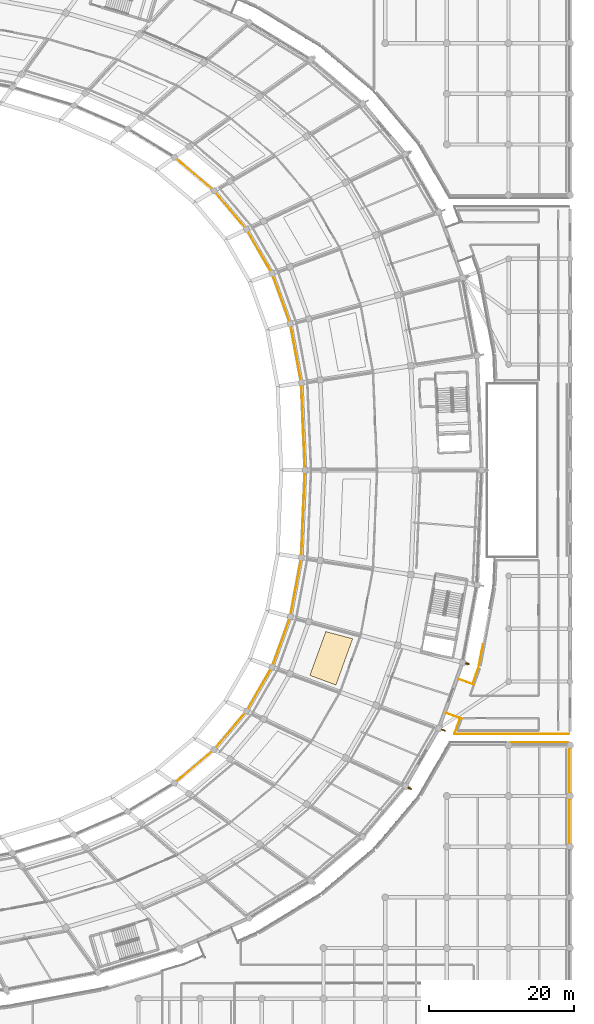
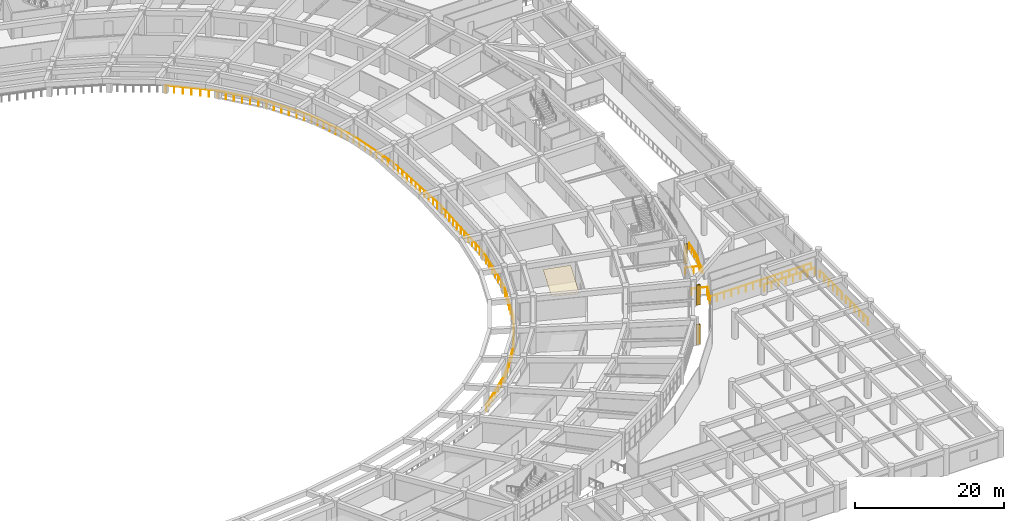
# One storey, part 131 of 145: 9 railings, 3 shading devices, 1 covering.
"""IFC4 building model written with IfcOpenShell, lengths in metres."""

from ifc_helpers import new_model, si_unit, direction, frame, origin, origin_2d, place, context, subcontext, project, spatial, polyline, rectangle, circle, outline, extrude, material, layer, layer_set, type_object, element, save


model = new_model("IFC4")

# Units and contexts
model_context = context("Model", 3, precision=1e-05, world=origin(), true_north=direction((0.0, 1.0)))
body_context = subcontext(model_context, "Body", "Model", "MODEL_VIEW")
ifc_project = project(units=[si_unit("LENGTHUNIT", "METRE"), si_unit("AREAUNIT", "SQUARE_METRE"), si_unit("VOLUMEUNIT", "CUBIC_METRE"), si_unit("PLANEANGLEUNIT", "RADIAN"), si_unit("MASSUNIT", "GRAM", prefix="KILO")], contexts=[model_context])

# Site, building, storey
site_placement = place(None, origin())
site = spatial("IfcSite", under=ifc_project, at=site_placement, CompositionType="ELEMENT")
building_placement = place(site_placement, origin())
building = spatial("IfcBuilding", under=site, at=building_placement, Name="Mphavela Belvedere Stadium", CompositionType="ELEMENT")
storey_placement = place(building_placement, frame((0.0, 0.0, 10.199951171875)))
storey = spatial("IfcBuildingStorey", under=building, at=storey_placement, Name="L02", CompositionType="ELEMENT", Elevation=10.199951171875)

# Covering
ifc_material_1 = material(Name="Perforated acoustic mineral ceiling tile")
ifc_layer = layer(ifc_material_1, 0.0400390625)
ifc_layer_set = layer_set([ifc_layer], Name="Perforated acoustic mineral ceiling tile")
covering_type = type_object("IfcCoveringType", Name="COV-CEILING-ACOUSTIC", PredefinedType="CEILING", material=ifc_layer_set)
covering_placement = place(storey_placement, frame((0.0, 0.0, 3.199951171875)))
element("IfcCovering", 1, at=covering_placement, inside=storey, type_object=covering_type, Name="Concourse acoustic ceiling L02-46", PredefinedType="CEILING", context=body_context, shape_type="SweptSolid", body=[
    extrude(outline(polyline([(194.041015625, 58.655029296875), (196.237060546875, 64.708251953125), (199.956298828125, 63.721923828125), (197.637451171875, 57.330078125), (194.041015625, 58.655029296875)])), origin(), (0.0, 0.0, 1.0), 0.0400390625),
])

# Railings
ifc_material_2 = material(Name="Bronze and laminated glass stadium balustrade", Category="glass")
railing_type = type_object("IfcRailingType", Name="RAL-BALUSTRADE-1120", PredefinedType="BALUSTRADE", material=ifc_material_2)
railing_1_placement = place(storey_placement, frame((212.845703125, 53.459228515625, 0.0)))
element("IfcRailing", 2, at=railing_1_placement, inside=storey, type_object=railing_type, Name="Colonnade link bridge balustrade L02-46A", PredefinedType="BALUSTRADE", context=body_context, shape_type="SweptSolid", body=[
    extrude(circle(Radius=0.02392578125, at=origin_2d()), frame((0.0, 0.0, 1.09619140625), z_axis=(0.940044916205, -0.341050664151, 0.0), x_axis=(0.341050664151, 0.940044916205, 0.0)), (0.0, 0.0, 1.0), 2.35009765625),
    extrude(circle(Radius=0.02099609375, at=origin_2d()), origin(), (0.0, 0.0, 1.0), 1.072021484375),
    extrude(circle(Radius=0.02099609375, at=origin_2d()), frame((1.1044921875, -0.40087890625, 0.0)), (0.0, 0.0, 1.0), 1.072021484375),
    extrude(circle(Radius=0.02099609375, at=origin_2d()), frame((2.209228515625, -0.801513671875, 0.0)), (0.0, 0.0, 1.0), 1.072021484375),
])
railing_2_placement = place(storey_placement, frame((214.55078125, 58.159423828125, 0.0)))
element("IfcRailing", 3, at=railing_2_placement, inside=storey, type_object=railing_type, Name="Colonnade link bridge balustrade L02-46B", PredefinedType="BALUSTRADE", context=body_context, shape_type="SweptSolid", body=[
    extrude(circle(Radius=0.02392578125, at=origin_2d()), frame((0.0, 0.0, 1.09619140625), z_axis=(0.940078218368, -0.340958858734, 0.0), x_axis=(0.340958858734, 0.940078218368, 0.0)), (0.0, 0.0, 1.0), 2.35009765625),
    extrude(circle(Radius=0.02099609375, at=origin_2d()), origin(), (0.0, 0.0, 1.0), 1.072021484375),
    extrude(circle(Radius=0.02099609375, at=origin_2d()), frame((1.1044921875, -0.400634765625, 0.0)), (0.0, 0.0, 1.0), 1.072021484375),
    extrude(circle(Radius=0.02099609375, at=origin_2d()), frame((2.209228515625, -0.80126953125, 0.0)), (0.0, 0.0, 1.0), 1.072021484375),
])
railing_3_placement = place(storey_placement, frame((193.3759765625, 87.0, 0.0)))
element("IfcRailing", 4, at=railing_3_placement, inside=storey, type_object=railing_type, Name="Bowl safety balustrade l02_bowl S1", PredefinedType="BALUSTRADE", context=body_context, shape_type="SweptSolid", body=[
    extrude(circle(Radius=0.02392578125, at=origin_2d()), frame((0.0, 0.0, 1.09619140625), z_axis=(-0.041906072647, 0.999121554705, 0.0), x_axis=(-0.999121554705, -0.041906072647, 0.0)), (0.0, 0.0, 1.0), 12.088623046875),
    extrude(circle(Radius=0.02392578125, at=origin_2d()), frame((-0.506591796875, 12.078125, 1.09619140625), z_axis=(-0.182638448973, 0.983180144712, 0.0), x_axis=(-0.983180144712, -0.182638448973, 0.0)), (0.0, 0.0, 1.0), 8.30908203125),
    extrude(circle(Radius=0.02392578125, at=origin_2d()), frame((-2.024169921875, 20.24755859375, 1.09619140625), z_axis=(-0.341037858277, 0.940049562109, 0.0), x_axis=(-0.940049562109, -0.341037858277, 0.0)), (0.0, 0.0, 1.0), 7.39501953125),
    extrude(circle(Radius=0.02392578125, at=origin_2d()), frame((-4.546142578125, 27.19921875, 1.09619140625), z_axis=(-0.500559513075, 0.86570212768, 0.0), x_axis=(-0.86570212768, -0.500559513075, 0.0)), (0.0, 0.0, 1.0), 7.02587890625),
    extrude(circle(Radius=0.02392578125, at=origin_2d()), frame((-8.06298828125, 33.281494140625, 1.09619140625), z_axis=(-0.645159025586, 0.764048317651, 0.0), x_axis=(-0.764048317651, -0.645159025586, 0.0)), (0.0, 0.0, 1.0), 6.975830078125),
    extrude(circle(Radius=0.02392578125, at=origin_2d()), frame((-12.5634765625, 38.611328125, 1.09619140625), z_axis=(-0.76425683958, 0.644911996442, 0.0), x_axis=(-0.644911996442, -0.76425683958, 0.0)), (0.0, 0.0, 1.0), 7.1640625),
    extrude(circle(Radius=0.02099609375, at=origin_2d()), origin(), (0.0, 0.0, 1.0), 1.072021484375),
    extrude(circle(Radius=0.02099609375, at=origin_2d()), frame((-0.046142578125, 1.097900390625, 0.0)), (0.0, 0.0, 1.0), 1.072021484375),
    extrude(circle(Radius=0.02099609375, at=origin_2d()), frame((-0.092041015625, 2.196044921875, 0.0)), (0.0, 0.0, 1.0), 1.072021484375),
    extrude(circle(Radius=0.02099609375, at=origin_2d()), frame((-0.13818359375, 3.2939453125, 0.0)), (0.0, 0.0, 1.0), 1.072021484375),
    extrude(circle(Radius=0.02099609375, at=origin_2d()), frame((-0.184326171875, 4.39208984375, 0.0)), (0.0, 0.0, 1.0), 1.072021484375),
    extrude(circle(Radius=0.02099609375, at=origin_2d()), frame((-0.230224609375, 5.489990234375, 0.0)), (0.0, 0.0, 1.0), 1.072021484375),
    extrude(circle(Radius=0.02099609375, at=origin_2d()), frame((-0.2763671875, 6.588134765625, 0.0)), (0.0, 0.0, 1.0), 1.072021484375),
    extrude(circle(Radius=0.02099609375, at=origin_2d()), frame((-0.322265625, 7.68603515625, 0.0)), (0.0, 0.0, 1.0), 1.072021484375),
    extrude(circle(Radius=0.02099609375, at=origin_2d()), frame((-0.368408203125, 8.7841796875, 0.0)), (0.0, 0.0, 1.0), 1.072021484375),
    extrude(circle(Radius=0.02099609375, at=origin_2d()), frame((-0.41455078125, 9.882080078125, 0.0)), (0.0, 0.0, 1.0), 1.072021484375),
    extrude(circle(Radius=0.02099609375, at=origin_2d()), frame((-0.46044921875, 10.980224609375, 0.0)), (0.0, 0.0, 1.0), 1.072021484375),
    extrude(circle(Radius=0.02099609375, at=origin_2d()), frame((-0.506591796875, 12.078125, 0.0)), (0.0, 0.0, 1.0), 1.072021484375),
    extrude(circle(Radius=0.02099609375, at=origin_2d()), frame((-0.723388671875, 13.2451171875, 0.0)), (0.0, 0.0, 1.0), 1.072021484375),
    extrude(circle(Radius=0.02099609375, at=origin_2d()), frame((-0.940185546875, 14.412353515625, 0.0)), (0.0, 0.0, 1.0), 1.072021484375),
    extrude(circle(Radius=0.02099609375, at=origin_2d()), frame((-1.156982421875, 15.579345703125, 0.0)), (0.0, 0.0, 1.0), 1.072021484375),
    extrude(circle(Radius=0.02099609375, at=origin_2d()), frame((-1.373779296875, 16.746337890625, 0.0)), (0.0, 0.0, 1.0), 1.072021484375),
    extrude(circle(Radius=0.02099609375, at=origin_2d()), frame((-1.590576171875, 17.913330078125, 0.0)), (0.0, 0.0, 1.0), 1.072021484375),
    extrude(circle(Radius=0.02099609375, at=origin_2d()), frame((-1.807373046875, 19.08056640625, 0.0)), (0.0, 0.0, 1.0), 1.072021484375),
    extrude(circle(Radius=0.02099609375, at=origin_2d()), frame((-2.024169921875, 20.24755859375, 0.0)), (0.0, 0.0, 1.0), 1.072021484375),
    extrude(circle(Radius=0.02099609375, at=origin_2d()), frame((-2.384521484375, 21.24072265625, 0.0)), (0.0, 0.0, 1.0), 1.072021484375),
    extrude(circle(Radius=0.02099609375, at=origin_2d()), frame((-2.74462890625, 22.233642578125, 0.0)), (0.0, 0.0, 1.0), 1.072021484375),
    extrude(circle(Radius=0.02099609375, at=origin_2d()), frame((-3.10498046875, 23.226806640625, 0.0)), (0.0, 0.0, 1.0), 1.072021484375),
    extrude(circle(Radius=0.02099609375, at=origin_2d()), frame((-3.46533203125, 24.219970703125, 0.0)), (0.0, 0.0, 1.0), 1.072021484375),
    extrude(circle(Radius=0.02099609375, at=origin_2d()), frame((-3.82568359375, 25.213134765625, 0.0)), (0.0, 0.0, 1.0), 1.072021484375),
    extrude(circle(Radius=0.02099609375, at=origin_2d()), frame((-4.185791015625, 26.2060546875, 0.0)), (0.0, 0.0, 1.0), 1.072021484375),
    extrude(circle(Radius=0.02099609375, at=origin_2d()), frame((-4.546142578125, 27.19921875, 0.0)), (0.0, 0.0, 1.0), 1.072021484375),
    extrude(circle(Radius=0.02099609375, at=origin_2d()), frame((-5.13232421875, 28.212890625, 0.0)), (0.0, 0.0, 1.0), 1.072021484375),
    extrude(circle(Radius=0.02099609375, at=origin_2d()), frame((-5.718505859375, 29.2265625, 0.0)), (0.0, 0.0, 1.0), 1.072021484375),
    extrude(circle(Radius=0.02099609375, at=origin_2d()), frame((-6.3046875, 30.240234375, 0.0)), (0.0, 0.0, 1.0), 1.072021484375),
    extrude(circle(Radius=0.02099609375, at=origin_2d()), frame((-6.890625, 31.254150390625, 0.0)), (0.0, 0.0, 1.0), 1.072021484375),
    extrude(circle(Radius=0.02099609375, at=origin_2d()), frame((-7.476806640625, 32.267822265625, 0.0)), (0.0, 0.0, 1.0), 1.072021484375),
    extrude(circle(Radius=0.02099609375, at=origin_2d()), frame((-8.06298828125, 33.281494140625, 0.0)), (0.0, 0.0, 1.0), 1.072021484375),
    extrude(circle(Radius=0.02099609375, at=origin_2d()), frame((-8.81298828125, 34.169921875, 0.0)), (0.0, 0.0, 1.0), 1.072021484375),
    extrude(circle(Radius=0.02099609375, at=origin_2d()), frame((-9.563232421875, 35.05810546875, 0.0)), (0.0, 0.0, 1.0), 1.072021484375),
    extrude(circle(Radius=0.02099609375, at=origin_2d()), frame((-10.313232421875, 35.9462890625, 0.0)), (0.0, 0.0, 1.0), 1.072021484375),
    extrude(circle(Radius=0.02099609375, at=origin_2d()), frame((-11.063232421875, 36.834716796875, 0.0)), (0.0, 0.0, 1.0), 1.072021484375),
    extrude(circle(Radius=0.02099609375, at=origin_2d()), frame((-11.8134765625, 37.72314453125, 0.0)), (0.0, 0.0, 1.0), 1.072021484375),
    extrude(circle(Radius=0.02099609375, at=origin_2d()), frame((-12.5634765625, 38.611328125, 0.0)), (0.0, 0.0, 1.0), 1.072021484375),
    extrude(circle(Radius=0.02099609375, at=origin_2d()), frame((-13.47607421875, 39.38134765625, 0.0)), (0.0, 0.0, 1.0), 1.072021484375),
    extrude(circle(Radius=0.02099609375, at=origin_2d()), frame((-14.388427734375, 40.1513671875, 0.0)), (0.0, 0.0, 1.0), 1.072021484375),
    extrude(circle(Radius=0.02099609375, at=origin_2d()), frame((-15.301025390625, 40.92138671875, 0.0)), (0.0, 0.0, 1.0), 1.072021484375),
    extrude(circle(Radius=0.02099609375, at=origin_2d()), frame((-16.213623046875, 41.69140625, 0.0)), (0.0, 0.0, 1.0), 1.072021484375),
    extrude(circle(Radius=0.02099609375, at=origin_2d()), frame((-17.1259765625, 42.46142578125, 0.0)), (0.0, 0.0, 1.0), 1.072021484375),
    extrude(circle(Radius=0.02099609375, at=origin_2d()), frame((-18.03857421875, 43.2314453125, 0.0)), (0.0, 0.0, 1.0), 1.072021484375),
])
railing_4_placement = place(storey_placement, frame((175.33740234375, 43.7685546875, 0.0)))
element("IfcRailing", 5, at=railing_4_placement, inside=storey, type_object=railing_type, Name="Bowl safety balustrade l02_bowl S8", PredefinedType="BALUSTRADE", context=body_context, shape_type="SweptSolid", body=[
    extrude(circle(Radius=0.02392578125, at=origin_2d()), frame((0.0, 0.0, 1.09619140625), z_axis=(0.76425683958, 0.644911996442, 0.0), x_axis=(-0.644911996442, 0.76425683958, 0.0)), (0.0, 0.0, 1.0), 7.1640625),
    extrude(circle(Radius=0.02392578125, at=origin_2d()), frame((5.47509765625, 4.6201171875, 1.09619140625), z_axis=(0.645159025586, 0.764048317651, 0.0), x_axis=(-0.764048317651, 0.645159025586, 0.0)), (0.0, 0.0, 1.0), 6.975830078125),
    extrude(circle(Radius=0.02392578125, at=origin_2d()), frame((9.9755859375, 9.949951171875, 1.09619140625), z_axis=(0.500559513075, 0.86570212768, 0.0), x_axis=(-0.86570212768, 0.500559513075, 0.0)), (0.0, 0.0, 1.0), 7.02587890625),
    extrude(circle(Radius=0.02392578125, at=origin_2d()), frame((13.492431640625, 16.0322265625, 1.09619140625), z_axis=(0.341037858277, 0.940049562109, 0.0), x_axis=(-0.940049562109, 0.341037858277, 0.0)), (0.0, 0.0, 1.0), 7.39501953125),
    extrude(circle(Radius=0.02392578125, at=origin_2d()), frame((16.014404296875, 22.98388671875, 1.09619140625), z_axis=(0.182638448973, 0.983180144712, 0.0), x_axis=(-0.983180144712, 0.182638448973, 0.0)), (0.0, 0.0, 1.0), 8.30908203125),
    extrude(circle(Radius=0.02392578125, at=origin_2d()), frame((17.531982421875, 31.1533203125, 1.09619140625), z_axis=(0.041906072647, 0.999121554705, 0.0), x_axis=(-0.999121554705, 0.041906072647, 0.0)), (0.0, 0.0, 1.0), 12.088623046875),
    extrude(circle(Radius=0.02099609375, at=origin_2d()), origin(), (0.0, 0.0, 1.0), 1.072021484375),
    extrude(circle(Radius=0.02099609375, at=origin_2d()), frame((0.91259765625, 0.77001953125, 0.0)), (0.0, 0.0, 1.0), 1.072021484375),
    extrude(circle(Radius=0.02099609375, at=origin_2d()), frame((1.824951171875, 1.5400390625, 0.0)), (0.0, 0.0, 1.0), 1.072021484375),
    extrude(circle(Radius=0.02099609375, at=origin_2d()), frame((2.737548828125, 2.31005859375, 0.0)), (0.0, 0.0, 1.0), 1.072021484375),
    extrude(circle(Radius=0.02099609375, at=origin_2d()), frame((3.650146484375, 3.080078125, 0.0)), (0.0, 0.0, 1.0), 1.072021484375),
    extrude(circle(Radius=0.02099609375, at=origin_2d()), frame((4.5625, 3.85009765625, 0.0)), (0.0, 0.0, 1.0), 1.072021484375),
    extrude(circle(Radius=0.02099609375, at=origin_2d()), frame((5.47509765625, 4.6201171875, 0.0)), (0.0, 0.0, 1.0), 1.072021484375),
    extrude(circle(Radius=0.02099609375, at=origin_2d()), frame((6.22509765625, 5.50830078125, 0.0)), (0.0, 0.0, 1.0), 1.072021484375),
    extrude(circle(Radius=0.02099609375, at=origin_2d()), frame((6.975341796875, 6.396728515625, 0.0)), (0.0, 0.0, 1.0), 1.072021484375),
    extrude(circle(Radius=0.02099609375, at=origin_2d()), frame((7.725341796875, 7.28515625, 0.0)), (0.0, 0.0, 1.0), 1.072021484375),
    extrude(circle(Radius=0.02099609375, at=origin_2d()), frame((8.475341796875, 8.17333984375, 0.0)), (0.0, 0.0, 1.0), 1.072021484375),
    extrude(circle(Radius=0.02099609375, at=origin_2d()), frame((9.2255859375, 9.0615234375, 0.0)), (0.0, 0.0, 1.0), 1.072021484375),
    extrude(circle(Radius=0.02099609375, at=origin_2d()), frame((9.9755859375, 9.949951171875, 0.0)), (0.0, 0.0, 1.0), 1.072021484375),
    extrude(circle(Radius=0.02099609375, at=origin_2d()), frame((10.561767578125, 10.963623046875, 0.0)), (0.0, 0.0, 1.0), 1.072021484375),
    extrude(circle(Radius=0.02099609375, at=origin_2d()), frame((11.14794921875, 11.977294921875, 0.0)), (0.0, 0.0, 1.0), 1.072021484375),
    extrude(circle(Radius=0.02099609375, at=origin_2d()), frame((11.73388671875, 12.9912109375, 0.0)), (0.0, 0.0, 1.0), 1.072021484375),
    extrude(circle(Radius=0.02099609375, at=origin_2d()), frame((12.320068359375, 14.0048828125, 0.0)), (0.0, 0.0, 1.0), 1.072021484375),
    extrude(circle(Radius=0.02099609375, at=origin_2d()), frame((12.90625, 15.0185546875, 0.0)), (0.0, 0.0, 1.0), 1.072021484375),
    extrude(circle(Radius=0.02099609375, at=origin_2d()), frame((13.492431640625, 16.0322265625, 0.0)), (0.0, 0.0, 1.0), 1.072021484375),
    extrude(circle(Radius=0.02099609375, at=origin_2d()), frame((13.852783203125, 17.025390625, 0.0)), (0.0, 0.0, 1.0), 1.072021484375),
    extrude(circle(Radius=0.02099609375, at=origin_2d()), frame((14.212890625, 18.018310546875, 0.0)), (0.0, 0.0, 1.0), 1.072021484375),
    extrude(circle(Radius=0.02099609375, at=origin_2d()), frame((14.5732421875, 19.011474609375, 0.0)), (0.0, 0.0, 1.0), 1.072021484375),
    extrude(circle(Radius=0.02099609375, at=origin_2d()), frame((14.93359375, 20.004638671875, 0.0)), (0.0, 0.0, 1.0), 1.072021484375),
    extrude(circle(Radius=0.02099609375, at=origin_2d()), frame((15.2939453125, 20.997802734375, 0.0)), (0.0, 0.0, 1.0), 1.072021484375),
    extrude(circle(Radius=0.02099609375, at=origin_2d()), frame((15.654052734375, 21.99072265625, 0.0)), (0.0, 0.0, 1.0), 1.072021484375),
    extrude(circle(Radius=0.02099609375, at=origin_2d()), frame((16.014404296875, 22.98388671875, 0.0)), (0.0, 0.0, 1.0), 1.072021484375),
    extrude(circle(Radius=0.02099609375, at=origin_2d()), frame((16.231201171875, 24.15087890625, 0.0)), (0.0, 0.0, 1.0), 1.072021484375),
    extrude(circle(Radius=0.02099609375, at=origin_2d()), frame((16.447998046875, 25.318115234375, 0.0)), (0.0, 0.0, 1.0), 1.072021484375),
    extrude(circle(Radius=0.02099609375, at=origin_2d()), frame((16.664794921875, 26.485107421875, 0.0)), (0.0, 0.0, 1.0), 1.072021484375),
    extrude(circle(Radius=0.02099609375, at=origin_2d()), frame((16.881591796875, 27.652099609375, 0.0)), (0.0, 0.0, 1.0), 1.072021484375),
    extrude(circle(Radius=0.02099609375, at=origin_2d()), frame((17.098388671875, 28.819091796875, 0.0)), (0.0, 0.0, 1.0), 1.072021484375),
    extrude(circle(Radius=0.02099609375, at=origin_2d()), frame((17.315185546875, 29.986328125, 0.0)), (0.0, 0.0, 1.0), 1.072021484375),
    extrude(circle(Radius=0.02099609375, at=origin_2d()), frame((17.531982421875, 31.1533203125, 0.0)), (0.0, 0.0, 1.0), 1.072021484375),
    extrude(circle(Radius=0.02099609375, at=origin_2d()), frame((17.578125, 32.251220703125, 0.0)), (0.0, 0.0, 1.0), 1.072021484375),
    extrude(circle(Radius=0.02099609375, at=origin_2d()), frame((17.6240234375, 33.349365234375, 0.0)), (0.0, 0.0, 1.0), 1.072021484375),
    extrude(circle(Radius=0.02099609375, at=origin_2d()), frame((17.670166015625, 34.447265625, 0.0)), (0.0, 0.0, 1.0), 1.072021484375),
    extrude(circle(Radius=0.02099609375, at=origin_2d()), frame((17.71630859375, 35.54541015625, 0.0)), (0.0, 0.0, 1.0), 1.072021484375),
    extrude(circle(Radius=0.02099609375, at=origin_2d()), frame((17.76220703125, 36.643310546875, 0.0)), (0.0, 0.0, 1.0), 1.072021484375),
    extrude(circle(Radius=0.02099609375, at=origin_2d()), frame((17.808349609375, 37.741455078125, 0.0)), (0.0, 0.0, 1.0), 1.072021484375),
    extrude(circle(Radius=0.02099609375, at=origin_2d()), frame((17.854248046875, 38.83935546875, 0.0)), (0.0, 0.0, 1.0), 1.072021484375),
    extrude(circle(Radius=0.02099609375, at=origin_2d()), frame((17.900390625, 39.9375, 0.0)), (0.0, 0.0, 1.0), 1.072021484375),
    extrude(circle(Radius=0.02099609375, at=origin_2d()), frame((17.946533203125, 41.035400390625, 0.0)), (0.0, 0.0, 1.0), 1.072021484375),
    extrude(circle(Radius=0.02099609375, at=origin_2d()), frame((17.992431640625, 42.133544921875, 0.0)), (0.0, 0.0, 1.0), 1.072021484375),
    extrude(circle(Radius=0.02099609375, at=origin_2d()), frame((18.03857421875, 43.2314453125, 0.0)), (0.0, 0.0, 1.0), 1.072021484375),
])
railing_5_placement = place(storey_placement, frame((221.835693359375, 49.419921875, 0.0)))
element("IfcRailing", 6, at=railing_5_placement, inside=storey, type_object=railing_type, Name="Peristyle wing gallery edge balustrade L02-08", PredefinedType="BALUSTRADE", context=body_context, shape_type="SweptSolid", body=[
    extrude(circle(Radius=0.02392578125, at=origin_2d()), frame((0.0, 0.0, 1.09619140625), z_axis=(1.0, 0.0, 0.0), x_axis=(0.0, 1.0, 0.0)), (0.0, 0.0, 1.0), 7.809814453125),
    extrude(circle(Radius=0.02099609375, at=origin_2d()), origin(), (0.0, 0.0, 1.0), 1.072021484375),
    extrude(circle(Radius=0.02099609375, at=origin_2d()), frame((1.11572265625, 0.0, 0.0)), (0.0, 0.0, 1.0), 1.072021484375),
    extrude(circle(Radius=0.02099609375, at=origin_2d()), frame((2.2314453125, 0.0, 0.0)), (0.0, 0.0, 1.0), 1.072021484375),
    extrude(circle(Radius=0.02099609375, at=origin_2d()), frame((3.34716796875, 0.0, 0.0)), (0.0, 0.0, 1.0), 1.072021484375),
    extrude(circle(Radius=0.02099609375, at=origin_2d()), frame((4.462646484375, 0.0, 0.0)), (0.0, 0.0, 1.0), 1.072021484375),
    extrude(circle(Radius=0.02099609375, at=origin_2d()), frame((5.578369140625, 0.0, 0.0)), (0.0, 0.0, 1.0), 1.072021484375),
    extrude(circle(Radius=0.02099609375, at=origin_2d()), frame((6.694091796875, 0.0, 0.0)), (0.0, 0.0, 1.0), 1.072021484375),
    extrude(circle(Radius=0.02099609375, at=origin_2d()), frame((7.809814453125, 0.0, 0.0)), (0.0, 0.0, 1.0), 1.072021484375),
])
for number, where, name in (
    (7, (229.919921875, 48.45654296875, 0.0), "Peristyle wing gallery edge balustrade L02-09"),
    (8, (229.919921875, 41.45654296875, 0.0), "Peristyle wing gallery edge balustrade L02-10"),
):
    element("IfcRailing", number, at=place(storey_placement, frame(where)), inside=storey, type_object=railing_type, Name=name, PredefinedType="BALUSTRADE", context=body_context, shape_type="SweptSolid", body=[
        extrude(circle(Radius=0.02392578125, at=origin_2d()), frame((0.0, 0.0, 1.09619140625), z_axis=(0.0, -1.0, 0.0), x_axis=(1.0, 0.0, 0.0)), (0.0, 0.0, 1.0), 5.9130859375),
        extrude(circle(Radius=0.02099609375, at=origin_2d()), origin(), (0.0, 0.0, 1.0), 1.072021484375),
        extrude(circle(Radius=0.02099609375, at=origin_2d()), frame((0.0, -1.1826171875, 0.0)), (0.0, 0.0, 1.0), 1.072021484375),
        extrude(circle(Radius=0.02099609375, at=origin_2d()), frame((0.0, -2.365234375, 0.0)), (0.0, 0.0, 1.0), 1.072021484375),
        extrude(circle(Radius=0.02099609375, at=origin_2d()), frame((0.0, -3.5478515625, 0.0)), (0.0, 0.0, 1.0), 1.072021484375),
        extrude(circle(Radius=0.02099609375, at=origin_2d()), frame((0.0, -4.73046875, 0.0)), (0.0, 0.0, 1.0), 1.072021484375),
        extrude(circle(Radius=0.02099609375, at=origin_2d()), frame((0.0, -5.9130859375, 0.0)), (0.0, 0.0, 1.0), 1.072021484375),
    ])
railing_6_placement = place(storey_placement, frame((216.601806640625, 57.71337890625, 0.0)))
element("IfcRailing", 9, at=railing_6_placement, inside=storey, type_object=railing_type, Name="Peristyle wing gallery edge balustrade L02-60", PredefinedType="BALUSTRADE", context=body_context, shape_type="SweptSolid", body=[
    extrude(circle(Radius=0.02392578125, at=origin_2d()), frame((0.0, 0.0, 1.09619140625), z_axis=(0.337621951524, 0.941281795133, 0.0), x_axis=(-0.941281795133, 0.337621951524, 0.0)), (0.0, 0.0, 1.0), 2.26123046875),
    extrude(circle(Radius=0.02392578125, at=origin_2d()), frame((0.763427734375, 2.12841796875, 1.09619140625), z_axis=(0.184941248651, 0.982749578757, 0.0), x_axis=(-0.982749578757, 0.184941248651, 0.0)), (0.0, 0.0, 1.0), 3.18408203125),
    extrude(circle(Radius=0.02099609375, at=origin_2d()), origin(), (0.0, 0.0, 1.0), 1.072021484375),
    extrude(circle(Radius=0.02099609375, at=origin_2d()), frame((0.3818359375, 1.064208984375, 0.0)), (0.0, 0.0, 1.0), 1.072021484375),
    extrude(circle(Radius=0.02099609375, at=origin_2d()), frame((0.763427734375, 2.12841796875, 0.0)), (0.0, 0.0, 1.0), 1.072021484375),
    extrude(circle(Radius=0.02099609375, at=origin_2d()), frame((0.959716796875, 3.17138671875, 0.0)), (0.0, 0.0, 1.0), 1.072021484375),
    extrude(circle(Radius=0.02099609375, at=origin_2d()), frame((1.156005859375, 4.214599609375, 0.0)), (0.0, 0.0, 1.0), 1.072021484375),
    extrude(circle(Radius=0.02099609375, at=origin_2d()), frame((1.352294921875, 5.257568359375, 0.0)), (0.0, 0.0, 1.0), 1.072021484375),
])
railing_7_placement = place(storey_placement, frame((229.7666015625, 50.580078125, 0.0)))
element("IfcRailing", 10, at=railing_7_placement, inside=storey, type_object=railing_type, Name="Peristyle wing gallery edge balustrade L02-64", PredefinedType="BALUSTRADE", context=body_context, shape_type="SweptSolid", body=[
    extrude(circle(Radius=0.02392578125, at=origin_2d()), frame((0.0, 0.0, 1.09619140625), z_axis=(-1.0, 0.0, 0.0), x_axis=(0.0, -1.0, 0.0)), (0.0, 0.0, 1.0), 15.756103515625),
    extrude(circle(Radius=0.02392578125, at=origin_2d()), frame((-15.756103515625, 0.0, 1.09619140625), z_axis=(0.342380499121, 0.939561383743, 0.0), x_axis=(-0.939561383743, 0.342380499121, 0.0)), (0.0, 0.0, 1.0), 2.029296875),
    extrude(circle(Radius=0.02099609375, at=origin_2d()), origin(), (0.0, 0.0, 1.0), 1.072021484375),
    extrude(circle(Radius=0.02099609375, at=origin_2d()), frame((-1.12548828125, 0.0, 0.0)), (0.0, 0.0, 1.0), 1.072021484375),
    extrude(circle(Radius=0.02099609375, at=origin_2d()), frame((-2.2509765625, 0.0, 0.0)), (0.0, 0.0, 1.0), 1.072021484375),
    extrude(circle(Radius=0.02099609375, at=origin_2d()), frame((-3.376220703125, 0.0, 0.0)), (0.0, 0.0, 1.0), 1.072021484375),
    extrude(circle(Radius=0.02099609375, at=origin_2d()), frame((-4.501708984375, 0.0, 0.0)), (0.0, 0.0, 1.0), 1.072021484375),
    extrude(circle(Radius=0.02099609375, at=origin_2d()), frame((-5.627197265625, 0.0, 0.0)), (0.0, 0.0, 1.0), 1.072021484375),
    extrude(circle(Radius=0.02099609375, at=origin_2d()), frame((-6.752685546875, 0.0, 0.0)), (0.0, 0.0, 1.0), 1.072021484375),
    extrude(circle(Radius=0.02099609375, at=origin_2d()), frame((-7.8779296875, 0.0, 0.0)), (0.0, 0.0, 1.0), 1.072021484375),
    extrude(circle(Radius=0.02099609375, at=origin_2d()), frame((-9.00341796875, 0.0, 0.0)), (0.0, 0.0, 1.0), 1.072021484375),
    extrude(circle(Radius=0.02099609375, at=origin_2d()), frame((-10.12890625, 0.0, 0.0)), (0.0, 0.0, 1.0), 1.072021484375),
    extrude(circle(Radius=0.02099609375, at=origin_2d()), frame((-11.25439453125, 0.0, 0.0)), (0.0, 0.0, 1.0), 1.072021484375),
    extrude(circle(Radius=0.02099609375, at=origin_2d()), frame((-12.3798828125, 0.0, 0.0)), (0.0, 0.0, 1.0), 1.072021484375),
    extrude(circle(Radius=0.02099609375, at=origin_2d()), frame((-13.505126953125, 0.0, 0.0)), (0.0, 0.0, 1.0), 1.072021484375),
    extrude(circle(Radius=0.02099609375, at=origin_2d()), frame((-14.630615234375, 0.0, 0.0)), (0.0, 0.0, 1.0), 1.072021484375),
    extrude(circle(Radius=0.02099609375, at=origin_2d()), frame((-15.756103515625, 0.0, 0.0)), (0.0, 0.0, 1.0), 1.072021484375),
    extrude(circle(Radius=0.02099609375, at=origin_2d()), frame((-15.40869140625, 0.953369140625, 0.0)), (0.0, 0.0, 1.0), 1.072021484375),
    extrude(circle(Radius=0.02099609375, at=origin_2d()), frame((-15.061279296875, 1.90673828125, 0.0)), (0.0, 0.0, 1.0), 1.072021484375),
])

# Shading devices
ifc_material_3 = material(Name="Honed limestone and bronze vertical brise-soleil fin", Category="masonry")
shading_device_type = type_object("IfcShadingDeviceType", Name="SHD-SOLAR-FIN", PredefinedType="USERDEFINED", material=ifc_material_3)
for number, where, z_axis, x_axis, name in (
    (11, (207.850830078125, 43.050537109375, 0.0), (0.0, 0.0, 1.0), (0.903858661687, -0.4278311813, 0.0), "Classical vertical solar brise-soleil fin L02-45"),
    (12, (212.487548828125, 51.0849609375, 0.0), (0.0, 0.0, 1.0), (0.938372433776, -0.34562577382, 0.0), "Classical vertical solar brise-soleil fin L02-46"),
    (13, (215.815185546875, 60.264892578125, 0.0), (0.0, 0.0, 1.0), (0.966600102017, -0.256289373133, 0.0), "Classical vertical solar brise-soleil fin L02-47"),
):
    element("IfcShadingDevice", number, at=place(storey_placement, frame(where, z_axis=z_axis, x_axis=x_axis)), inside=storey, type_object=shading_device_type, Name=name, ObjectType="SOLAR FIN", PredefinedType="USERDEFINED", context=body_context, shape_type="SweptSolid", body=[
        extrude(rectangle(XDim=0.550048828125, YDim=0.179931640625, at=origin_2d()), origin(), (0.0, 0.0, 1.0), 3.320068359375),
    ])

save(model, "model.ifc")
